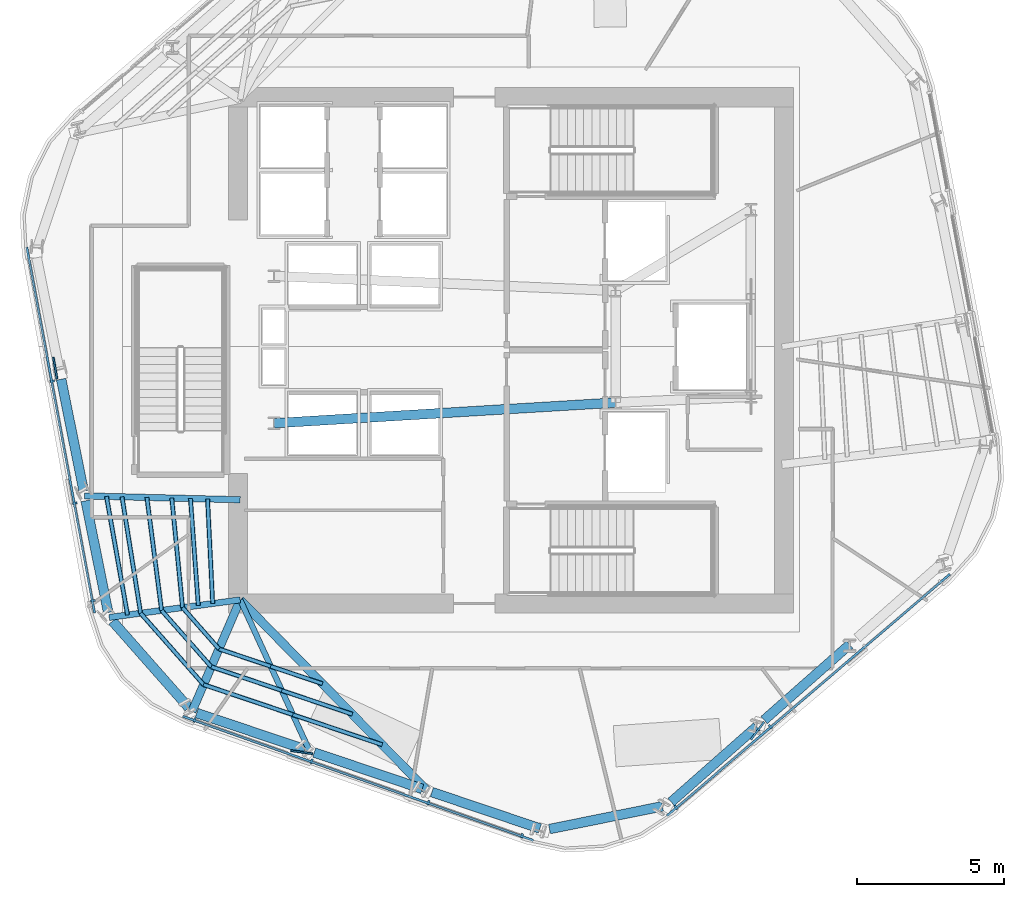
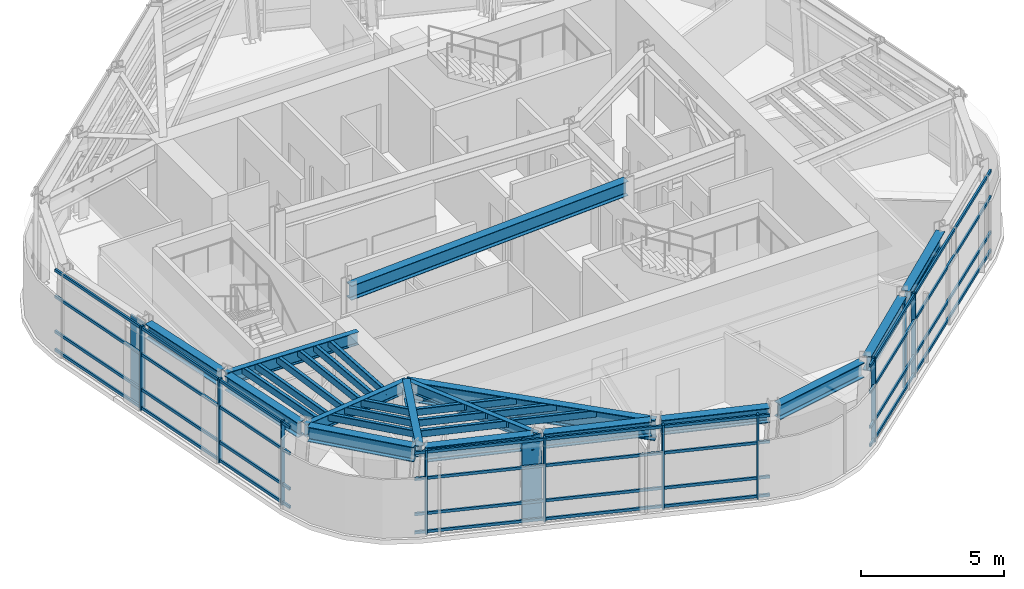
# One storey, part 2 of 14: 39 members, 15 beams, 3 elements without a shape of their own.
"""IFC4 building model written with IfcOpenShell, lengths in metres."""

from ifc_helpers import new_model, si_unit, direction, frame, origin, origin_2d, place, context, subcontext, project, spatial, rectangle, hollow_rectangle, i_section, extrude, material, layer, layer_set, material_profile, profile_set, type_object, element, aggregate, save


model = new_model("IFC4")

# Units and contexts
model_context = context("Model", 3, precision=1e-05, world=origin(), true_north=direction((0.0, 1.0)))
body_context = subcontext(model_context, "Body", "Model", "MODEL_VIEW")
ifc_project = project(units=[si_unit("LENGTHUNIT", "METRE"), si_unit("AREAUNIT", "SQUARE_METRE"), si_unit("VOLUMEUNIT", "CUBIC_METRE"), si_unit("PLANEANGLEUNIT", "RADIAN"), si_unit("MASSUNIT", "GRAM", prefix="KILO")], contexts=[model_context])

# Site, building, storey
site_placement = place(None, origin())
site = spatial("IfcSite", under=ifc_project, at=site_placement, CompositionType="ELEMENT")
building_placement = place(site_placement, origin())
building = spatial("IfcBuilding", under=site, at=building_placement, Name="Valkerne Bourse Tower", CompositionType="ELEMENT")
storey_placement = place(building_placement, frame((0.0, 0.0, 198.0)))
storey = spatial("IfcBuildingStorey", under=building, at=storey_placement, Name="L50", CompositionType="ELEMENT", Elevation=198.0)

# Beams
ifc_material_1 = material(Name="Steel ASTM A992", Category="steel")
ifc_material_profile_1 = material_profile(ifc_material_1, i_section(OverallWidth=0.1904296875, OverallDepth=0.457275390625, WebThickness=0.009033203125, FlangeThickness=0.014404296875, FilletRadius=0.01513671875, at=origin_2d()), Name="W18X50")
ifc_profile_set_1 = profile_set([ifc_material_profile_1], Name="Steel ASTM A992")
beam_type_1 = type_object("IfcBeamType", Name="BM-W18X50", PredefinedType="JOIST", material=ifc_profile_set_1)
beam_1_placement = place(storey_placement, frame((39.956298828125, 13.266845703125, 3.371337890625), z_axis=(-0.417174098643, 0.908826590402, 0.0), x_axis=(-0.908826590402, -0.417174098643, 0.0)))
element("IfcBeam", 1, at=beam_1_placement, inside=storey, type_object=beam_type_1, Name="L50 Radial Composite Floor Beam 13", PredefinedType="JOIST", context=body_context, shape_type="SweptSolid", body=[
    extrude(i_section(OverallWidth=0.1904296875, OverallDepth=0.457275390625, WebThickness=0.009033203125, FlangeThickness=0.014404296875, FilletRadius=0.01513671875, at=origin_2d()), origin(), (0.0, 0.0, 1.0), 5.64794921875),
])
ifc_material_profile_2 = material_profile(ifc_material_1, i_section(OverallWidth=0.279296875, OverallDepth=0.46240234375, WebThickness=0.0107421875, FlangeThickness=0.017333984375, FilletRadius=0.017822265625, at=origin_2d()), Name="W18X76")
ifc_profile_set_2 = profile_set([ifc_material_profile_2], Name="Steel ASTM A992")
beam_type_2 = type_object("IfcBeamType", Name="BM-W18X76", PredefinedType="BEAM", material=ifc_profile_set_2)
beam_2_placement = place(storey_placement, frame((35.964111328125, 14.6103515625, 3.368896484375), z_axis=(0.396352171991, 0.918098554491, 0.0), x_axis=(-0.918098554491, 0.396352171991, 0.0)))
element("IfcBeam", 2, at=beam_2_placement, inside=storey, type_object=beam_type_2, Name="L50 Radial Composite Floor Beam 12", PredefinedType="BEAM", context=body_context, shape_type="SweptSolid", body=[
    extrude(i_section(OverallWidth=0.279296875, OverallDepth=0.46240234375, WebThickness=0.0107421875, FlangeThickness=0.017333984375, FilletRadius=0.017822265625, at=origin_2d()), origin(), (0.0, 0.0, 1.0), 4.127685546875),
])
ifc_material_profile_3 = material_profile(ifc_material_1, i_section(OverallWidth=0.209228515625, OverallDepth=0.533447265625, WebThickness=0.01025390625, FlangeThickness=0.015625, FilletRadius=0.017822265625, at=origin_2d()), Name="W21X62")
ifc_profile_set_3 = profile_set([ifc_material_profile_3], Name="Steel ASTM A992")
beam_type_3 = type_object("IfcBeamType", Name="BM-W21X62", PredefinedType="JOIST", material=ifc_profile_set_3)
beam_3_placement = place(storey_placement, frame((33.14990234375, 17.802490234375, 3.333251953125), z_axis=(0.991109260719, 0.133050491605, 0.0), x_axis=(-0.133050491605, 0.991109260719, 0.0)))
element("IfcBeam", 3, at=beam_3_placement, inside=storey, type_object=beam_type_3, Name="L50 Radial Composite Floor Beam 11", PredefinedType="JOIST", context=body_context, shape_type="SweptSolid", body=[
    extrude(i_section(OverallWidth=0.209228515625, OverallDepth=0.533447265625, WebThickness=0.01025390625, FlangeThickness=0.015625, FilletRadius=0.017822265625, at=origin_2d()), origin(), (0.0, 0.0, 1.0), 4.490234375),
])
ifc_material_profile_4 = material_profile(ifc_material_1, i_section(OverallWidth=0.2138671875, OverallDepth=0.548583984375, WebThickness=0.0146484375, FlangeThickness=0.023681640625, FilletRadius=0.017822265625, at=origin_2d()), Name="W21X93")
ifc_profile_set_4 = profile_set([ifc_material_profile_4], Name="Steel ASTM A992")
beam_type_4 = type_object("IfcBeamType", Name="BM-W21X93", PredefinedType="BEAM", material=ifc_profile_set_4)
beam_4_placement = place(storey_placement, frame((32.3173828125, 21.931396484375, 3.32568359375), z_axis=(0.999691042303, -0.024855983952, 0.0), x_axis=(0.024855983952, 0.999691042303, 0.0)))
element("IfcBeam", 4, at=beam_4_placement, inside=storey, type_object=beam_type_4, Name="L50 Radial Composite Floor Beam 10", PredefinedType="BEAM", context=body_context, shape_type="SweptSolid", body=[
    extrude(i_section(OverallWidth=0.2138671875, OverallDepth=0.548583984375, WebThickness=0.0146484375, FlangeThickness=0.023681640625, FilletRadius=0.017822265625, at=origin_2d()), origin(), (0.0, 0.0, 1.0), 5.284423828125),
])
ifc_material_profile_5 = material_profile(ifc_material_1, i_section(OverallWidth=0.3251953125, OverallDepth=0.612060546875, WebThickness=0.0126953125, FlangeThickness=0.01904296875, FilletRadius=0.020263671875, at=origin_2d()), Name="W24X104")
ifc_profile_set_5 = profile_set([ifc_material_profile_5], Name="Steel ASTM A992")
beam_type_5 = type_object("IfcBeamType", Name="BM-W24X104", PredefinedType="BEAM", material=ifc_profile_set_5)
beam_5_placement = place(storey_placement, frame((38.75, 24.39990234375, 3.2939453125), z_axis=(0.998183228389, 0.060251494276, 0.0), x_axis=(-0.060251494276, 0.998183228389, 0.0)))
element("IfcBeam", 5, at=beam_5_placement, inside=storey, type_object=beam_type_5, Name="L50 Core Frame Girder CG-SW", PredefinedType="BEAM", context=body_context, shape_type="SweptSolid", body=[
    extrude(i_section(OverallWidth=0.3251953125, OverallDepth=0.612060546875, WebThickness=0.0126953125, FlangeThickness=0.01904296875, FilletRadius=0.020263671875, at=origin_2d()), origin(), (0.0, 0.0, 1.0), 11.62109375),
])
ifc_material_profile_6 = material_profile(ifc_material_1, i_section(OverallWidth=0.32763671875, OverallDepth=0.62744140625, WebThickness=0.0166015625, FlangeThickness=0.027587890625, FilletRadius=0.020263671875, at=origin_2d()), Name="W24X146")
ifc_profile_set_6 = profile_set([ifc_material_profile_6], Name="Steel ASTM A992")
beam_type_6 = type_object("IfcBeamType", Name="BM-W24X146", PredefinedType="SPANDREL", material=ifc_profile_set_6)
for number, where, z_axis, x_axis, name in (
    (6, (31.518310546875, 25.893798828125, 3.286376953125), (0.19765572137, -0.98027150107, 0.0), (0.98027150107, 0.19765572137, 0.0), "L50 Hexagonal Spandrel Ring Beam 09"),
    (7, (32.35107421875, 21.764892578125, 3.286376953125), (0.197595135309, -0.98028371531, 0.0), (0.98028371531, 0.197595135309, 0.0), "L50 Hexagonal Spandrel Ring Beam 10"),
):
    element("IfcBeam", number, at=place(storey_placement, frame(where, z_axis=z_axis, x_axis=x_axis)), inside=storey, type_object=beam_type_6, Name=name, PredefinedType="SPANDREL", context=body_context, shape_type="SweptSolid", body=[
        extrude(i_section(OverallWidth=0.32763671875, OverallDepth=0.62744140625, WebThickness=0.0166015625, FlangeThickness=0.027587890625, FilletRadius=0.020263671875, at=origin_2d()), origin(), (0.0, 0.0, 1.0), 3.872314453125),
    ])
beam_6_placement = place(storey_placement, frame((33.26220703125, 17.675048828125, 3.286376953125), z_axis=(0.661320520271, -0.750103439179, 0.0), x_axis=(0.750103439179, 0.661320520271, 0.0)))
element("IfcBeam", 8, at=beam_6_placement, inside=storey, type_object=beam_type_6, Name="L50 Hexagonal Spandrel Ring Beam 11", PredefinedType="SPANDREL", context=body_context, shape_type="SweptSolid", body=[
    extrude(i_section(OverallWidth=0.32763671875, OverallDepth=0.62744140625, WebThickness=0.0166015625, FlangeThickness=0.027587890625, FilletRadius=0.020263671875, at=origin_2d()), origin(), (0.0, 0.0, 1.0), 3.915771484375),
])
for number, where, z_axis, x_axis, name in (
    (9, (36.125244140625, 14.55615234375, 3.286376953125), (0.947765110882, -0.31896911229, 0.0), (0.31896911229, 0.947765110882, 0.0), "L50 Hexagonal Spandrel Ring Beam 12"),
    (10, (40.1171875, 13.212646484375, 3.286376953125), (0.947765110882, -0.31896911229, 0.0), (0.31896911229, 0.947765110882, 0.0), "L50 Hexagonal Spandrel Ring Beam 13"),
    (11, (44.109375, 11.869140625, 3.286376953125), (0.947758695535, -0.318988173822, 0.0), (0.318988173822, 0.947758695535, 0.0), "L50 Hexagonal Spandrel Ring Beam 14"),
):
    element("IfcBeam", number, at=place(storey_placement, frame(where, z_axis=z_axis, x_axis=x_axis)), inside=storey, type_object=beam_type_6, Name=name, PredefinedType="SPANDREL", context=body_context, shape_type="SweptSolid", body=[
        extrude(i_section(OverallWidth=0.32763671875, OverallDepth=0.62744140625, WebThickness=0.0166015625, FlangeThickness=0.027587890625, FilletRadius=0.020263671875, at=origin_2d()), origin(), (0.0, 0.0, 1.0), 3.8720703125),
    ])
beam_7_placement = place(storey_placement, frame((48.106689453125, 10.613525390625, 3.286376953125), z_axis=(0.980274954468, 0.197638593504, 0.0), x_axis=(-0.197638593504, 0.980274954468, 0.0)))
element("IfcBeam", 12, at=beam_7_placement, inside=storey, type_object=beam_type_6, Name="L50 Hexagonal Spandrel Ring Beam 15", PredefinedType="SPANDREL", context=body_context, shape_type="SweptSolid", body=[
    extrude(i_section(OverallWidth=0.32763671875, OverallDepth=0.62744140625, WebThickness=0.0166015625, FlangeThickness=0.027587890625, FilletRadius=0.020263671875, at=origin_2d()), origin(), (0.0, 0.0, 1.0), 3.915771484375),
])
beam_8_placement = place(storey_placement, frame((52.239501953125, 11.533447265625, 3.286376953125), z_axis=(0.750102773613, 0.661321275189, 0.0), x_axis=(-0.661321275189, 0.750102773613, 0.0)))
element("IfcBeam", 13, at=beam_8_placement, inside=storey, type_object=beam_type_6, Name="L50 Hexagonal Spandrel Ring Beam 16", PredefinedType="SPANDREL", context=body_context, shape_type="SweptSolid", body=[
    extrude(i_section(OverallWidth=0.32763671875, OverallDepth=0.62744140625, WebThickness=0.0166015625, FlangeThickness=0.027587890625, FilletRadius=0.020263671875, at=origin_2d()), origin(), (0.0, 0.0, 1.0), 3.871826171875),
])
beam_9_placement = place(storey_placement, frame((55.39892578125, 14.31884765625, 3.286376953125), z_axis=(0.750071495062, 0.661356751152, 0.0), x_axis=(-0.661356751152, 0.750071495062, 0.0)))
element("IfcBeam", 14, at=beam_9_placement, inside=storey, type_object=beam_type_6, Name="L50 Hexagonal Spandrel Ring Beam 17", PredefinedType="SPANDREL", context=body_context, shape_type="SweptSolid", body=[
    extrude(i_section(OverallWidth=0.32763671875, OverallDepth=0.62744140625, WebThickness=0.0166015625, FlangeThickness=0.027587890625, FilletRadius=0.020263671875, at=origin_2d()), origin(), (0.0, 0.0, 1.0), 3.8720703125),
])
ifc_material_profile_7 = material_profile(ifc_material_1, i_section(OverallWidth=0.2919921875, OverallDepth=0.8583984375, WebThickness=0.01708984375, FlangeThickness=0.031005859375, FilletRadius=0.025390625, at=origin_2d()), Name="W33X169")
ifc_profile_set_7 = profile_set([ifc_material_profile_7], Name="Steel ASTM A992")
beam_type_7 = type_object("IfcBeamType", Name="BM-W33X169", PredefinedType="BEAM", material=ifc_profile_set_7)
beam_10_placement = place(storey_placement, frame((43.9482421875, 11.92333984375, 3.170654296875), z_axis=(-0.699991198647, 0.714151469799, 0.0), x_axis=(-0.714151469799, -0.699991198647, 0.0)))
element("IfcBeam", 15, at=beam_10_placement, inside=storey, type_object=beam_type_7, Name="L50 Radial Composite Floor Beam 14", PredefinedType="BEAM", context=body_context, shape_type="SweptSolid", body=[
    extrude(i_section(OverallWidth=0.2919921875, OverallDepth=0.8583984375, WebThickness=0.01708984375, FlangeThickness=0.031005859375, FilletRadius=0.025390625, at=origin_2d()), origin(), (0.0, 0.0, 1.0), 9.06884765625),
])

# Curtain wall, members
ifc_material_2 = material(Name="Aluminium AA 6063-T6", Category="aluminium")
ifc_layer = layer(ifc_material_2, 0.239990234375)
ifc_layer_set = layer_set([ifc_layer], Name="Aluminium AA 6063-T6")
curtain_wall_type = type_object("IfcCurtainWallType", Name="CW-04", PredefinedType="NOTDEFINED", material=ifc_layer_set)
curtain_wall_1_placement = place(storey_placement, origin())
curtain_wall_1 = element("IfcCurtainWall", 16, at=curtain_wall_1_placement, inside=storey, type_object=curtain_wall_type, Name="L50 Hexagonal Stick Curtain Wall Face 3", PredefinedType="NOTDEFINED")
ifc_material_profile_8 = material_profile(ifc_material_2, rectangle(XDim=0.074951171875, YDim=0.159912109375, at=origin_2d()), Name="CWM-75X160")
ifc_profile_set_8 = profile_set([ifc_material_profile_8], Name="Aluminium AA 6063-T6")
member_type_1 = type_object("IfcMemberType", Name="CW-MUL-160X75", PredefinedType="MULLION", material=ifc_profile_set_8)
member_1_placement = place(storey_placement, frame((31.214111328125, 25.826171875, 0.0), z_axis=(0.0, 0.0, 1.0), x_axis=(0.182216783154, -0.983258381066, 0.0)))
member_1 = element("IfcMember", 17, at=member_1_placement, type_object=member_type_1, Name="CW-L50-F3 Jamb Mullion 01A", PredefinedType="MULLION", context=body_context, shape_type="SweptSolid", body=[
    extrude(rectangle(XDim=0.074951171875, YDim=0.159912109375, at=origin_2d()), origin(), (0.0, 0.0, 1.0), 3.60009765625),
])
member_2_placement = place(storey_placement, frame((31.981689453125, 21.6845703125, 0.0), z_axis=(0.0, 0.0, 1.0), x_axis=(0.182239736328, -0.983254127122, 0.0)))
member_2 = element("IfcMember", 18, at=member_2_placement, type_object=member_type_1, Name="CW-L50-F3 Jamb Mullion 02A", PredefinedType="MULLION", context=body_context, shape_type="SweptSolid", body=[
    extrude(rectangle(XDim=0.074951171875, YDim=0.159912109375, at=origin_2d()), origin(), (0.0, 0.0, 1.0), 3.60009765625),
])
member_3_placement = place(storey_placement, frame((32.59619140625, 18.368896484375, 0.0), z_axis=(0.0, 0.0, 1.0), x_axis=(0.182239736328, -0.983254127122, 0.0)))
member_3 = element("IfcMember", 19, at=member_3_placement, type_object=member_type_1, Name="CW-L50-F3 Jamb Mullion 02B", PredefinedType="MULLION", context=body_context, shape_type="SweptSolid", body=[
    extrude(rectangle(XDim=0.074951171875, YDim=0.159912109375, at=origin_2d()), origin(), (0.0, 0.0, 1.0), 3.60009765625),
])

curtain_wall_2_placement = place(storey_placement, origin())
curtain_wall_2 = element("IfcCurtainWall", 20, at=curtain_wall_2_placement, inside=storey, type_object=curtain_wall_type, Name="L50 Hexagonal Stick Curtain Wall Face 4", PredefinedType="NOTDEFINED")
member_4_placement = place(storey_placement, frame((36.05322265625, 14.3212890625, 0.0), z_axis=(0.0, 0.0, 1.0), x_axis=(0.942643567267, -0.33380099624, 0.0)))
member_4 = element("IfcMember", 21, at=member_4_placement, type_object=member_type_1, Name="CW-L50-F4 Jamb Mullion 00A", PredefinedType="MULLION", context=body_context, shape_type="SweptSolid", body=[
    extrude(rectangle(XDim=0.074951171875, YDim=0.159912109375, at=origin_2d()), origin(), (0.0, 0.0, 1.0), 3.60009765625),
])
member_5_placement = place(storey_placement, frame((40.023681640625, 12.915283203125, 0.0), z_axis=(0.0, 0.0, 1.0), x_axis=(0.942640921859, -0.333808466695, 0.0)))
member_5 = element("IfcMember", 22, at=member_5_placement, type_object=member_type_1, Name="CW-L50-F4 Jamb Mullion 01A", PredefinedType="MULLION", context=body_context, shape_type="SweptSolid", body=[
    extrude(rectangle(XDim=0.074951171875, YDim=0.159912109375, at=origin_2d()), origin(), (0.0, 0.0, 1.0), 3.60009765625),
])
member_6_placement = place(storey_placement, frame((43.994140625, 11.50927734375, 0.0), z_axis=(0.0, 0.0, 1.0), x_axis=(0.942640921859, -0.333808466695, 0.0)))
member_6 = element("IfcMember", 23, at=member_6_placement, type_object=member_type_1, Name="CW-L50-F4 Jamb Mullion 02A", PredefinedType="MULLION", context=body_context, shape_type="SweptSolid", body=[
    extrude(rectangle(XDim=0.074951171875, YDim=0.159912109375, at=origin_2d()), origin(), (0.0, 0.0, 1.0), 3.60009765625),
])
member_7_placement = place(storey_placement, frame((47.1728515625, 10.3837890625, 0.0), z_axis=(0.0, 0.0, 1.0), x_axis=(0.942640921859, -0.333808466695, 0.0)))
member_7 = element("IfcMember", 24, at=member_7_placement, type_object=member_type_1, Name="CW-L50-F4 Jamb Mullion 02B", PredefinedType="MULLION", context=body_context, shape_type="SweptSolid", body=[
    extrude(rectangle(XDim=0.074951171875, YDim=0.159912109375, at=origin_2d()), origin(), (0.0, 0.0, 1.0), 3.60009765625),
])

curtain_wall_3_placement = place(storey_placement, origin())
curtain_wall_3 = element("IfcCurtainWall", 25, at=curtain_wall_3_placement, inside=storey, type_object=curtain_wall_type, Name="L50 Hexagonal Stick Curtain Wall Face 5", PredefinedType="NOTDEFINED")
member_8_placement = place(storey_placement, frame((52.40673828125, 11.353759765625, 0.0), z_axis=(0.0, 0.0, 1.0), x_axis=(0.760411783398, 0.649441236502, 0.0)))
member_8 = element("IfcMember", 26, at=member_8_placement, type_object=member_type_1, Name="CW-L50-F5 Jamb Mullion 00A", PredefinedType="MULLION", context=body_context, shape_type="SweptSolid", body=[
    extrude(rectangle(XDim=0.074951171875, YDim=0.159912109375, at=origin_2d()), origin(), (0.0, 0.0, 1.0), 3.60009765625),
])
member_9_placement = place(storey_placement, frame((55.609619140625, 14.089111328125, 0.0), z_axis=(0.0, 0.0, 1.0), x_axis=(0.760400058591, 0.649454964486, 0.0)))
member_9 = element("IfcMember", 27, at=member_9_placement, type_object=member_type_1, Name="CW-L50-F5 Jamb Mullion 01A", PredefinedType="MULLION", context=body_context, shape_type="SweptSolid", body=[
    extrude(rectangle(XDim=0.074951171875, YDim=0.159912109375, at=origin_2d()), origin(), (0.0, 0.0, 1.0), 3.60009765625),
])

# Member
ifc_material_profile_9 = material_profile(ifc_material_2, rectangle(XDim=0.074951171875, YDim=0.1201171875, at=origin_2d()), Name="CWT-75X120")
ifc_profile_set_9 = profile_set([ifc_material_profile_9], Name="Aluminium AA 6063-T6")
member_type_2 = type_object("IfcMemberType", Name="CW-TRN-120X75", PredefinedType="USERDEFINED", material=ifc_profile_set_9)
member_10_placement = place(storey_placement, frame((30.350341796875, 30.376953125, 0.1201171875), z_axis=(0.182233856777, -0.983255216841, 0.0), x_axis=(0.983255216841, 0.182233856777, 0.0)))
member_10 = element("IfcMember", 28, at=member_10_placement, type_object=member_type_2, Name="CW-L50-F3 Continuous Face Transom 1", ObjectType="TRANSOM", PredefinedType="USERDEFINED", context=body_context, shape_type="SweptSolid", body=[
    extrude(rectangle(XDim=0.074951171875, YDim=0.1201171875, at=origin_2d()), origin(), (0.0, 0.0, 1.0), 12.63623046875),
])

member_11_placement = place(storey_placement, frame((30.350341796875, 30.376953125, 0.89990234375), z_axis=(0.182233856777, -0.983255216841, 0.0), x_axis=(0.983255216841, 0.182233856777, 0.0)))
member_11 = element("IfcMember", 29, at=member_11_placement, type_object=member_type_2, Name="CW-L50-F3 Continuous Face Transom 2", ObjectType="TRANSOM", PredefinedType="USERDEFINED", context=body_context, shape_type="SweptSolid", body=[
    extrude(rectangle(XDim=0.074951171875, YDim=0.1201171875, at=origin_2d()), origin(), (0.0, 0.0, 1.0), 12.63623046875),
])

member_12_placement = place(storey_placement, frame((30.350341796875, 30.376953125, 2.39990234375), z_axis=(0.182233856777, -0.983255216841, 0.0), x_axis=(0.983255216841, 0.182233856777, 0.0)))
member_12 = element("IfcMember", 30, at=member_12_placement, type_object=member_type_2, Name="CW-L50-F3 Continuous Face Transom 3", ObjectType="TRANSOM", PredefinedType="USERDEFINED", context=body_context, shape_type="SweptSolid", body=[
    extrude(rectangle(XDim=0.074951171875, YDim=0.1201171875, at=origin_2d()), origin(), (0.0, 0.0, 1.0), 12.63623046875),
])

member_13_placement = place(storey_placement, frame((30.350341796875, 30.376953125, 3.52001953125), z_axis=(0.182233856777, -0.983255216841, 0.0), x_axis=(0.983255216841, 0.182233856777, 0.0)))
member_13 = element("IfcMember", 31, at=member_13_placement, type_object=member_type_2, Name="CW-L50-F3 Continuous Face Transom 4", ObjectType="TRANSOM", PredefinedType="USERDEFINED", context=body_context, shape_type="SweptSolid", body=[
    extrude(rectangle(XDim=0.074951171875, YDim=0.1201171875, at=origin_2d()), origin(), (0.0, 0.0, 1.0), 12.63623046875),
])

aggregate(curtain_wall_1, [member_10, member_11, member_12, member_13, member_1, member_2, member_3])

member_14_placement = place(storey_placement, frame((35.650634765625, 14.442626953125, 0.1201171875), z_axis=(0.942642044538, -0.333805296347, 0.0), x_axis=(0.333805296347, 0.942642044538, 0.0)))
member_14 = element("IfcMember", 32, at=member_14_placement, type_object=member_type_2, Name="CW-L50-F4 Continuous Face Transom 1", ObjectType="TRANSOM", PredefinedType="USERDEFINED", context=body_context, shape_type="SweptSolid", body=[
    extrude(rectangle(XDim=0.074951171875, YDim=0.1201171875, at=origin_2d()), origin(), (0.0, 0.0, 1.0), 12.63623046875),
])

member_15_placement = place(storey_placement, frame((35.650634765625, 14.442626953125, 0.89990234375), z_axis=(0.942642044538, -0.333805296347, 0.0), x_axis=(0.333805296347, 0.942642044538, 0.0)))
member_15 = element("IfcMember", 33, at=member_15_placement, type_object=member_type_2, Name="CW-L50-F4 Continuous Face Transom 2", ObjectType="TRANSOM", PredefinedType="USERDEFINED", context=body_context, shape_type="SweptSolid", body=[
    extrude(rectangle(XDim=0.074951171875, YDim=0.1201171875, at=origin_2d()), origin(), (0.0, 0.0, 1.0), 12.63623046875),
])

member_16_placement = place(storey_placement, frame((35.650634765625, 14.442626953125, 2.39990234375), z_axis=(0.942642044538, -0.333805296347, 0.0), x_axis=(0.333805296347, 0.942642044538, 0.0)))
member_16 = element("IfcMember", 34, at=member_16_placement, type_object=member_type_2, Name="CW-L50-F4 Continuous Face Transom 3", ObjectType="TRANSOM", PredefinedType="USERDEFINED", context=body_context, shape_type="SweptSolid", body=[
    extrude(rectangle(XDim=0.074951171875, YDim=0.1201171875, at=origin_2d()), origin(), (0.0, 0.0, 1.0), 12.63623046875),
])

member_17_placement = place(storey_placement, frame((35.650634765625, 14.442626953125, 3.52001953125), z_axis=(0.942642044538, -0.333805296347, 0.0), x_axis=(0.333805296347, 0.942642044538, 0.0)))
member_17 = element("IfcMember", 35, at=member_17_placement, type_object=member_type_2, Name="CW-L50-F4 Continuous Face Transom 4", ObjectType="TRANSOM", PredefinedType="USERDEFINED", context=body_context, shape_type="SweptSolid", body=[
    extrude(rectangle(XDim=0.074951171875, YDim=0.1201171875, at=origin_2d()), origin(), (0.0, 0.0, 1.0), 12.63623046875),
])

aggregate(curtain_wall_2, [member_14, member_15, member_16, member_17, member_4, member_5, member_6, member_7])

member_18_placement = place(storey_placement, frame((52.100341796875, 11.06591796875, 0.1201171875), z_axis=(0.760407868756, 0.649445820014, 0.0), x_axis=(-0.649445820014, 0.760407868756, 0.0)))
member_18 = element("IfcMember", 36, at=member_18_placement, type_object=member_type_2, Name="CW-L50-F5 Continuous Face Transom 1", ObjectType="TRANSOM", PredefinedType="USERDEFINED", context=body_context, shape_type="SweptSolid", body=[
    extrude(rectangle(XDim=0.074951171875, YDim=0.1201171875, at=origin_2d()), origin(), (0.0, 0.0, 1.0), 12.6357421875),
])

member_19_placement = place(storey_placement, frame((52.100341796875, 11.06591796875, 0.89990234375), z_axis=(0.760407868756, 0.649445820014, 0.0), x_axis=(-0.649445820014, 0.760407868756, 0.0)))
member_19 = element("IfcMember", 37, at=member_19_placement, type_object=member_type_2, Name="CW-L50-F5 Continuous Face Transom 2", ObjectType="TRANSOM", PredefinedType="USERDEFINED", context=body_context, shape_type="SweptSolid", body=[
    extrude(rectangle(XDim=0.074951171875, YDim=0.1201171875, at=origin_2d()), origin(), (0.0, 0.0, 1.0), 12.6357421875),
])

member_20_placement = place(storey_placement, frame((52.100341796875, 11.06591796875, 2.39990234375), z_axis=(0.760407868756, 0.649445820014, 0.0), x_axis=(-0.649445820014, 0.760407868756, 0.0)))
member_20 = element("IfcMember", 38, at=member_20_placement, type_object=member_type_2, Name="CW-L50-F5 Continuous Face Transom 3", ObjectType="TRANSOM", PredefinedType="USERDEFINED", context=body_context, shape_type="SweptSolid", body=[
    extrude(rectangle(XDim=0.074951171875, YDim=0.1201171875, at=origin_2d()), origin(), (0.0, 0.0, 1.0), 12.6357421875),
])

member_21_placement = place(storey_placement, frame((52.100341796875, 11.06591796875, 3.52001953125), z_axis=(0.760407868756, 0.649445820014, 0.0), x_axis=(-0.649445820014, 0.760407868756, 0.0)))
member_21 = element("IfcMember", 39, at=member_21_placement, type_object=member_type_2, Name="CW-L50-F5 Continuous Face Transom 4", ObjectType="TRANSOM", PredefinedType="USERDEFINED", context=body_context, shape_type="SweptSolid", body=[
    extrude(rectangle(XDim=0.074951171875, YDim=0.1201171875, at=origin_2d()), origin(), (0.0, 0.0, 1.0), 12.6357421875),
])

aggregate(curtain_wall_3, [member_18, member_19, member_20, member_21, member_8, member_9])

# Members
ifc_material_3 = material(Name="Bronze Anodised Aluminium AA 6063-T6", Category="aluminium")
ifc_material_profile_10 = material_profile(ifc_material_3, rectangle(XDim=0.06494140625, YDim=0.75, at=origin_2d()), Name="FIN-65X750")
ifc_profile_set_10 = profile_set([ifc_material_profile_10], Name="Bronze Anodised Aluminium AA 6063-T6")
member_type_3 = type_object("IfcMemberType", Name="FIN-SOLAR-650", PredefinedType="USERDEFINED", material=ifc_profile_set_10)
for number, where, z_axis, x_axis, name in (
    (40, (31.314697265625, 26.271728515625, 0.00390625), (0.0, 0.0, 1.0), (-0.986571550211, -0.16332965534, 0.0), "L50 Bronze Anodised Solar Fin F3-01"),
    (41, (39.68798828125, 13.22509765625, 0.00390625), (0.0, 0.0, 1.0), (-0.138522255927, -0.99035932096, 0.0), "L50 Bronze Anodised Solar Fin F4-01"),
    (42, (55.17333984375, 13.953369140625, 0.00390625), (0.0, 0.0, 1.0), (0.800068669282, -0.59990843004, 0.0), "L50 Bronze Anodised Solar Fin F5-01"),
):
    element("IfcMember", number, at=place(storey_placement, frame(where, z_axis=z_axis, x_axis=x_axis)), inside=storey, type_object=member_type_3, Name=name, ObjectType="SOLAR_FIN", PredefinedType="USERDEFINED", context=body_context, shape_type="SweptSolid", body=[
        extrude(rectangle(XDim=0.06494140625, YDim=0.75, at=origin_2d()), origin(), (0.0, 0.0, 1.0), 3.592041015625),
    ])
ifc_material_4 = material(Name="Steel ASTM A500 Grade C", Category="steel")
ifc_material_profile_11 = material_profile(ifc_material_4, hollow_rectangle(XDim=0.14990234375, YDim=0.300048828125, WallThickness=0.012451171875, OuterFilletRadius=0.02490234375, at=origin_2d()), Name="HSS300X150X12.5")
ifc_profile_set_11 = profile_set([ifc_material_profile_11], Name="Steel ASTM A500 Grade C")
member_type_4 = type_object("IfcMemberType", Name="MBR-HSS300X150X12.5", PredefinedType="PURLIN", material=ifc_profile_set_11)
member_22_placement = place(storey_placement, frame((35.90966796875, 21.842041015625, 3.43994140625), z_axis=(0.073113832148, -0.997323602222, 0.0), x_axis=(0.997323602222, 0.073113832148, 0.0)))
element("IfcMember", 43, at=member_22_placement, inside=storey, type_object=member_type_4, Name="L50 Secondary Composite Floor Purlin I-10", PredefinedType="PURLIN", context=body_context, shape_type="SweptSolid", body=[
    extrude(hollow_rectangle(XDim=0.14990234375, YDim=0.300048828125, WallThickness=0.012451171875, OuterFilletRadius=0.02490234375, at=origin_2d()), origin(), (0.0, 0.0, 1.0), 3.64306640625),
])
member_23_placement = place(storey_placement, frame((35.275634765625, 21.85791015625, 3.43994140625), z_axis=(0.098016559099, -0.995184783918, 0.0), x_axis=(0.995184783918, 0.098016559099, 0.0)))
element("IfcMember", 44, at=member_23_placement, inside=storey, type_object=member_type_4, Name="L50 Secondary Composite Floor Purlin K-10", PredefinedType="PURLIN", context=body_context, shape_type="SweptSolid", body=[
    extrude(hollow_rectangle(XDim=0.14990234375, YDim=0.300048828125, WallThickness=0.012451171875, OuterFilletRadius=0.02490234375, at=origin_2d()), origin(), (0.0, 0.0, 1.0), 3.73876953125),
])
member_24_placement = place(storey_placement, frame((35.64208984375, 18.13720703125, 3.43994140625), z_axis=(0.66117735289, -0.750229636862, 0.0), x_axis=(0.750229636862, 0.66117735289, 0.0)))
element("IfcMember", 45, at=member_24_placement, inside=storey, type_object=member_type_4, Name="L50 Secondary Composite Floor Purlin K-11", PredefinedType="PURLIN", context=body_context, shape_type="SweptSolid", body=[
    extrude(hollow_rectangle(XDim=0.14990234375, YDim=0.300048828125, WallThickness=0.012451171875, OuterFilletRadius=0.02490234375, at=origin_2d()), origin(), (0.0, 0.0, 1.0), 1.87255859375),
])
for number, where, z_axis, x_axis, name in (
    (46, (36.880126953125, 16.732421875, 3.43994140625), (0.947783740929, -0.31891375077, 0.0), (0.31891375077, 0.947783740929, 0.0), "L50 Secondary Composite Floor Purlin K-12"),
    (47, (38.63671875, 16.141357421875, 3.43994140625), (0.947783740929, -0.31891375077, 0.0), (0.31891375077, 0.947783740929, 0.0), "L50 Secondary Composite Floor Purlin K-13"),
):
    element("IfcMember", number, at=place(storey_placement, frame(where, z_axis=z_axis, x_axis=x_axis)), inside=storey, type_object=member_type_4, Name=name, PredefinedType="PURLIN", context=body_context, shape_type="SweptSolid", body=[
        extrude(hollow_rectangle(XDim=0.14990234375, YDim=0.300048828125, WallThickness=0.012451171875, OuterFilletRadius=0.02490234375, at=origin_2d()), origin(), (0.0, 0.0, 1.0), 1.853271484375),
    ])
member_25_placement = place(storey_placement, frame((33.585205078125, 21.89990234375, 3.43994140625), z_axis=(0.158028546421, -0.987434543915, 0.0), x_axis=(0.987434543915, 0.158028546421, 0.0)))
element("IfcMember", 48, at=member_25_placement, inside=storey, type_object=member_type_4, Name="L50 Secondary Composite Floor Purlin O-10", PredefinedType="PURLIN", context=body_context, shape_type="SweptSolid", body=[
    extrude(hollow_rectangle(XDim=0.14990234375, YDim=0.300048828125, WallThickness=0.012451171875, OuterFilletRadius=0.02490234375, at=origin_2d()), origin(), (0.0, 0.0, 1.0), 4.00439453125),
])
member_26_placement = place(storey_placement, frame((34.218017578125, 17.94580078125, 3.43994140625), z_axis=(0.661284512883, -0.750135183164, 0.0), x_axis=(0.750135183164, 0.661284512883, 0.0)))
element("IfcMember", 49, at=member_26_placement, inside=storey, type_object=member_type_4, Name="L50 Secondary Composite Floor Purlin O-11", PredefinedType="PURLIN", context=body_context, shape_type="SweptSolid", body=[
    extrude(hollow_rectangle(XDim=0.14990234375, YDim=0.300048828125, WallThickness=0.012451171875, OuterFilletRadius=0.02490234375, at=origin_2d()), origin(), (0.0, 0.0, 1.0), 3.234130859375),
])
for number, where, z_axis, x_axis, name in (
    (50, (36.356689453125, 15.519775390625, 3.43994140625), (0.947771811865, -0.31894920071, 0.0), (0.31894920071, 0.947771811865, 0.0), "L50 Secondary Composite Floor Purlin O-12"),
    (51, (39.390625, 14.498779296875, 3.43994140625), (0.947771811865, -0.31894920071, 0.0), (0.31894920071, 0.947771811865, 0.0), "L50 Secondary Composite Floor Purlin O-13"),
):
    element("IfcMember", number, at=place(storey_placement, frame(where, z_axis=z_axis, x_axis=x_axis)), inside=storey, type_object=member_type_4, Name=name, PredefinedType="PURLIN", context=body_context, shape_type="SweptSolid", body=[
        extrude(hollow_rectangle(XDim=0.14990234375, YDim=0.300048828125, WallThickness=0.012451171875, OuterFilletRadius=0.02490234375, at=origin_2d()), origin(), (0.0, 0.0, 1.0), 3.201171875),
    ])
member_27_placement = place(storey_placement, frame((34.430419921875, 21.87890625, 3.43994140625), z_axis=(0.129080256448, -0.991634149974, 0.0), x_axis=(0.991634149974, 0.129080256448, 0.0)))
element("IfcMember", 52, at=member_27_placement, inside=storey, type_object=member_type_4, Name="L50 Secondary Composite Floor Purlin Z-10", PredefinedType="PURLIN", context=body_context, shape_type="SweptSolid", body=[
    extrude(hollow_rectangle(XDim=0.14990234375, YDim=0.300048828125, WallThickness=0.012451171875, OuterFilletRadius=0.02490234375, at=origin_2d()), origin(), (0.0, 0.0, 1.0), 3.869873046875),
])
member_28_placement = place(storey_placement, frame((34.929931640625, 18.04150390625, 3.43994140625), z_axis=(0.661295840104, -0.750125197458, 0.0), x_axis=(0.750125197458, 0.661295840104, 0.0)))
element("IfcMember", 53, at=member_28_placement, inside=storey, type_object=member_type_4, Name="L50 Secondary Composite Floor Purlin Z-11", PredefinedType="PURLIN", context=body_context, shape_type="SweptSolid", body=[
    extrude(hollow_rectangle(XDim=0.14990234375, YDim=0.300048828125, WallThickness=0.012451171875, OuterFilletRadius=0.02490234375, at=origin_2d()), origin(), (0.0, 0.0, 1.0), 2.55322265625),
])
for number, where, z_axis, x_axis, name in (
    (54, (36.618408203125, 16.126220703125, 3.43994140625), (0.94776158472, -0.318979589517, 0.0), (0.318979589517, 0.94776158472, 0.0), "L50 Secondary Composite Floor Purlin Z-12"),
    (55, (39.013671875, 15.320068359375, 3.43994140625), (0.94776158472, -0.318979589517, 0.0), (0.318979589517, 0.94776158472, 0.0), "L50 Secondary Composite Floor Purlin Z-13"),
):
    element("IfcMember", number, at=place(storey_placement, frame(where, z_axis=z_axis, x_axis=x_axis)), inside=storey, type_object=member_type_4, Name=name, PredefinedType="PURLIN", context=body_context, shape_type="SweptSolid", body=[
        extrude(hollow_rectangle(XDim=0.14990234375, YDim=0.300048828125, WallThickness=0.012451171875, OuterFilletRadius=0.02490234375, at=origin_2d()), origin(), (0.0, 0.0, 1.0), 2.52734375),
    ])
member_29_placement = place(storey_placement, frame((36.49072265625, 21.82763671875, 3.43994140625), z_axis=(0.049136671566, -0.998792064199, 0.0), x_axis=(0.998792064199, 0.049136671566, 0.0)))
element("IfcMember", 56, at=member_29_placement, inside=storey, type_object=member_type_4, Name="L50 Secondary Composite Floor Purlin S-10", PredefinedType="PURLIN", context=body_context, shape_type="SweptSolid", body=[
    extrude(hollow_rectangle(XDim=0.14990234375, YDim=0.300048828125, WallThickness=0.012451171875, OuterFilletRadius=0.02490234375, at=origin_2d()), origin(), (0.0, 0.0, 1.0), 3.5576171875),
])
member_30_placement = place(storey_placement, frame((33.056884765625, 21.9130859375, 3.43994140625), z_axis=(0.175065478818, -0.984556792738, 0.0), x_axis=(0.984556792738, 0.175065478818, 0.0)))
element("IfcMember", 57, at=member_30_placement, inside=storey, type_object=member_type_4, Name="L50 Secondary Composite Floor Purlin T-10", PredefinedType="PURLIN", context=body_context, shape_type="SweptSolid", body=[
    extrude(hollow_rectangle(XDim=0.14990234375, YDim=0.300048828125, WallThickness=0.012451171875, OuterFilletRadius=0.02490234375, at=origin_2d()), origin(), (0.0, 0.0, 1.0), 4.09033203125),
])

save(model, "model.ifc")
